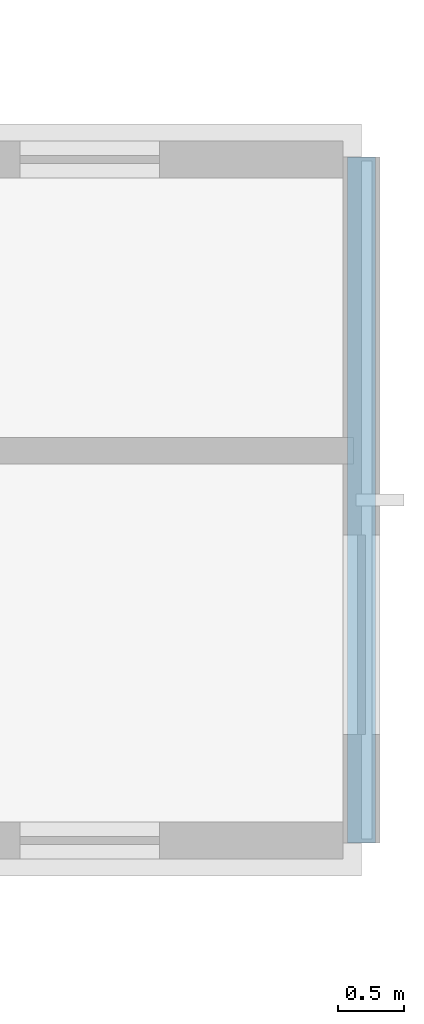
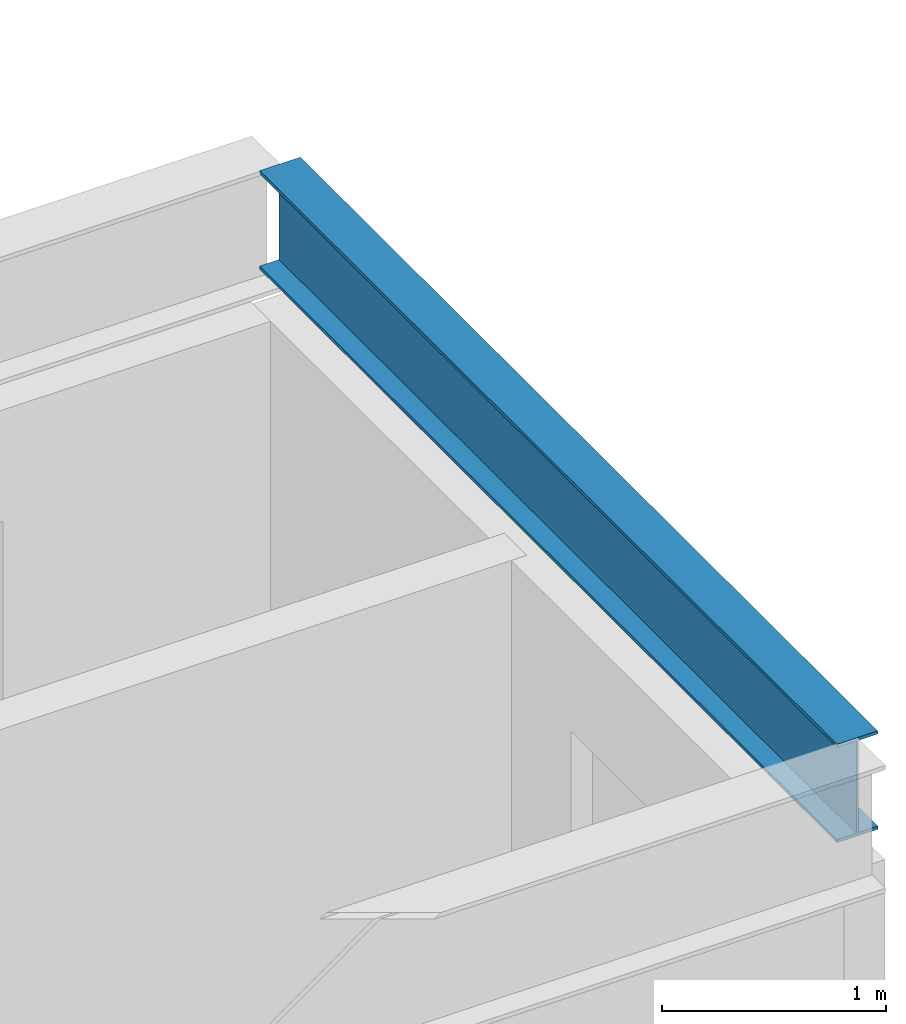
# One storey, part 14 of 32: 1 beam.
"""IFC4 building model written with IfcOpenShell, lengths in metres."""

from ifc_helpers import new_model, si_unit, direction, frame, origin, origin_2d, place, context, subcontext, project, spatial, i_section, extrude, material, material_profile, profile_set, type_object, element, save


model = new_model("IFC4")

# Units and contexts
model_context = context("Model", 3, precision=1e-05, world=origin(), true_north=direction((0.0, 1.0)))
body_context = subcontext(model_context, "Body", "Model", "MODEL_VIEW")
ifc_project = project(units=[si_unit("LENGTHUNIT", "METRE"), si_unit("AREAUNIT", "SQUARE_METRE"), si_unit("VOLUMEUNIT", "CUBIC_METRE"), si_unit("PLANEANGLEUNIT", "RADIAN"), si_unit("MASSUNIT", "GRAM", prefix="KILO")], contexts=[model_context])

# Site, building, storey
site_placement = place(None, origin())
site = spatial("IfcSite", under=ifc_project, at=site_placement, CompositionType="ELEMENT")
building_placement = place(site_placement, origin())
building = spatial("IfcBuilding", under=site, at=building_placement, Name="Surkhivell Harbour Commons", CompositionType="ELEMENT")
storey_placement = place(building_placement, frame((0.0, 0.0, 311.25)))
storey = spatial("IfcBuildingStorey", under=building, at=storey_placement, Name="L81", CompositionType="ELEMENT", Elevation=311.25)

# Beam
ifc_material = material(Name="Steel S355", Category="steel")
ifc_material_profile = material_profile(ifc_material, i_section(OverallWidth=0.2099609375, OverallDepth=0.537109375, WebThickness=0.0107421875, FlangeThickness=0.017333984375, at=origin_2d()), Name="UB533x210x101")
ifc_profile_set = profile_set([ifc_material_profile], Name="Steel S355")
beam_type = type_object("IfcBeamType", Name="BM-GRD-533B", PredefinedType="BEAM", material=ifc_profile_set)
beam_placement = place(storey_placement, frame((20.5, 0.1220703125, 3.301513671875), z_axis=(0.0, 1.0, 0.0), x_axis=(-1.0, 0.0, 0.0)))
element("IfcBeam", 1, at=beam_placement, inside=storey, type_object=beam_type, Name="L81 Box Rim Spandrel (20.5,0.0)", PredefinedType="BEAM", context=body_context, shape_type="SweptSolid", body=[
    extrude(i_section(OverallWidth=0.2099609375, OverallDepth=0.537109375, WebThickness=0.0107421875, FlangeThickness=0.017333984375, at=origin_2d()), origin(), (0.0, 0.0, 1.0), 5.156005859375),
])

save(model, "model.ifc")
